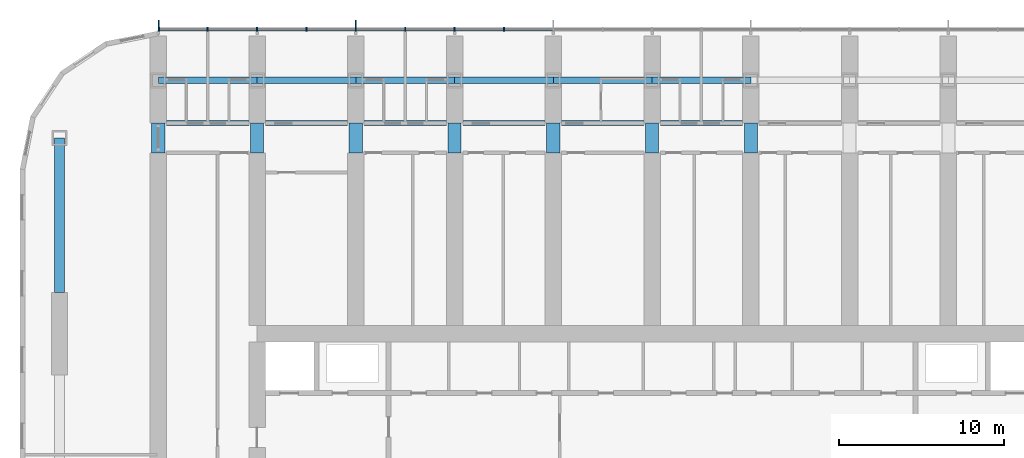
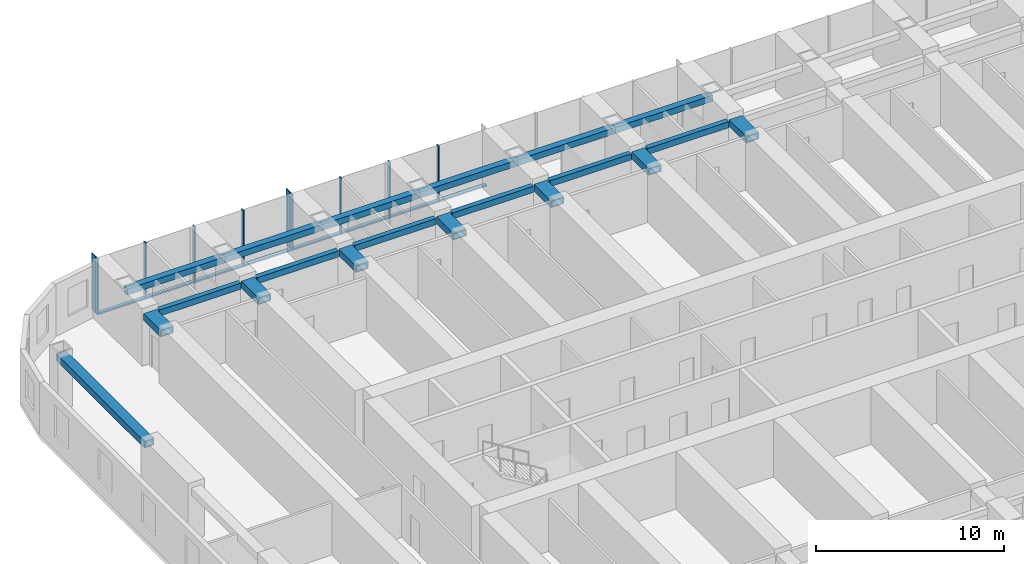
# One storey, part 4 of 23: 20 beams, 18 members, 1 element without a shape of its own.
"""IFC4 building model written with IfcOpenShell, lengths in metres."""

from ifc_helpers import new_model, si_unit, direction, frame, origin, origin_2d, place, context, subcontext, project, spatial, rectangle, hollow_rectangle, extrude, material, material_profile, profile_set, type_object, element, aggregate, save


model = new_model("IFC4")

# Units and contexts
model_context = context("Model", 3, precision=1e-05, world=origin(), true_north=direction((0.0, 1.0)))
body_context = subcontext(model_context, "Body", "Model", "MODEL_VIEW")
ifc_project = project(units=[si_unit("LENGTHUNIT", "METRE"), si_unit("AREAUNIT", "SQUARE_METRE"), si_unit("VOLUMEUNIT", "CUBIC_METRE"), si_unit("PLANEANGLEUNIT", "RADIAN"), si_unit("MASSUNIT", "GRAM", prefix="KILO")], contexts=[model_context])

# Site, building, storey
site_placement = place(None, origin())
site = spatial("IfcSite", under=ifc_project, at=site_placement, CompositionType="ELEMENT")
building_placement = place(site_placement, origin())
building = spatial("IfcBuilding", under=site, at=building_placement, Name="Orbita Commons", CompositionType="ELEMENT")
storey_placement = place(building_placement, frame((0.0, 0.0, 65.199951171875)))
storey = spatial("IfcBuildingStorey", under=building, at=storey_placement, Name="L16", CompositionType="ELEMENT", Elevation=65.199951171875)

# Curtain wall, members
ifc_material_1 = material(Name="Anodised aluminium frame, pale silver", Category="aluminium")
curtain_wall_type = type_object("IfcCurtainWallType", Name="Unitised curtain wall CW-T, vision and spandrel", PredefinedType="NOTDEFINED", material=ifc_material_1)
curtain_wall_placement = place(storey_placement, origin())
curtain_wall = element("IfcCurtainWall", 1, at=curtain_wall_placement, inside=storey, type_object=curtain_wall_type, Name="Curtain wall north L16", PredefinedType="NOTDEFINED")
ifc_material_2 = material(Name="Anodised aluminium, pale silver", Category="aluminium")
ifc_material_profile_1 = material_profile(ifc_material_2, rectangle(XDim=0.080078125, YDim=0.219970703125, at=origin_2d()), Name="AL 80x220")
ifc_profile_set_1 = profile_set([ifc_material_profile_1], Name="Anodised aluminium, pale silver")
member_type_1 = type_object("IfcMemberType", Name="Curtain wall mullion 80x220", PredefinedType="MULLION", material=ifc_profile_set_1)
member_1_placement = place(storey_placement, frame((33.0, 56.7099609375, -0.25), z_axis=(0.0, 0.0, 1.0), x_axis=(-1.0, 0.0, 0.0)))
member_1 = element("IfcMember", 2, at=member_1_placement, type_object=member_type_1, Name="Mullion 14 CW-L16-N", PredefinedType="MULLION", context=body_context, shape_type="SweptSolid", body=[
    extrude(rectangle(XDim=0.080078125, YDim=0.219970703125, at=origin_2d()), origin(), (0.0, 0.0, 1.0), 3.650146484375),
])
member_2_placement = place(storey_placement, frame((30.0, 56.7099609375, -0.25), z_axis=(0.0, 0.0, 1.0), x_axis=(-1.0, 0.0, 0.0)))
member_2 = element("IfcMember", 3, at=member_2_placement, type_object=member_type_1, Name="Mullion 15 CW-L16-N", PredefinedType="MULLION", context=body_context, shape_type="SweptSolid", body=[
    extrude(rectangle(XDim=0.080078125, YDim=0.219970703125, at=origin_2d()), origin(), (0.0, 0.0, 1.0), 3.650146484375),
])
member_3_placement = place(storey_placement, frame((27.0, 56.7099609375, -0.25), z_axis=(0.0, 0.0, 1.0), x_axis=(-1.0, 0.0, 0.0)))
member_3 = element("IfcMember", 4, at=member_3_placement, type_object=member_type_1, Name="Mullion 16 CW-L16-N", PredefinedType="MULLION", context=body_context, shape_type="SweptSolid", body=[
    extrude(rectangle(XDim=0.080078125, YDim=0.219970703125, at=origin_2d()), origin(), (0.0, 0.0, 1.0), 3.650146484375),
])
member_4_placement = place(storey_placement, frame((24.0, 56.7099609375, -0.25), z_axis=(0.0, 0.0, 1.0), x_axis=(-1.0, 0.0, 0.0)))
member_4 = element("IfcMember", 5, at=member_4_placement, type_object=member_type_1, Name="Mullion 17 CW-L16-N", PredefinedType="MULLION", context=body_context, shape_type="SweptSolid", body=[
    extrude(rectangle(XDim=0.080078125, YDim=0.219970703125, at=origin_2d()), origin(), (0.0, 0.0, 1.0), 3.650146484375),
])
member_5_placement = place(storey_placement, frame((21.0, 56.7099609375, -0.25), z_axis=(0.0, 0.0, 1.0), x_axis=(-1.0, 0.0, 0.0)))
member_5 = element("IfcMember", 6, at=member_5_placement, type_object=member_type_1, Name="Mullion 18 CW-L16-N", PredefinedType="MULLION", context=body_context, shape_type="SweptSolid", body=[
    extrude(rectangle(XDim=0.080078125, YDim=0.219970703125, at=origin_2d()), origin(), (0.0, 0.0, 1.0), 3.650146484375),
])
member_6_placement = place(storey_placement, frame((18.0, 56.7099609375, -0.25), z_axis=(0.0, 0.0, 1.0), x_axis=(-1.0, 0.0, 0.0)))
member_6 = element("IfcMember", 7, at=member_6_placement, type_object=member_type_1, Name="Mullion 19 CW-L16-N", PredefinedType="MULLION", context=body_context, shape_type="SweptSolid", body=[
    extrude(rectangle(XDim=0.080078125, YDim=0.219970703125, at=origin_2d()), origin(), (0.0, 0.0, 1.0), 3.650146484375),
])
member_7_placement = place(storey_placement, frame((15.0, 56.7099609375, -0.25), z_axis=(0.0, 0.0, 1.0), x_axis=(-1.0, 0.0, 0.0)))
member_7 = element("IfcMember", 8, at=member_7_placement, type_object=member_type_1, Name="Mullion 20 CW-L16-N", PredefinedType="MULLION", context=body_context, shape_type="SweptSolid", body=[
    extrude(rectangle(XDim=0.080078125, YDim=0.219970703125, at=origin_2d()), origin(), (0.0, 0.0, 1.0), 3.650146484375),
])
member_8_placement = place(storey_placement, frame((12.0400390625, 56.7099609375, -0.25), z_axis=(0.0, 0.0, 1.0), x_axis=(-1.0, 0.0, 0.0)))
member_8 = element("IfcMember", 9, at=member_8_placement, type_object=member_type_1, Name="Mullion 21 CW-L16-N", PredefinedType="MULLION", context=body_context, shape_type="SweptSolid", body=[
    extrude(rectangle(XDim=0.080078125, YDim=0.219970703125, at=origin_2d()), origin(), (0.0, 0.0, 1.0), 3.650146484375),
])
ifc_material_3 = material(Name="Anodised aluminium, pale silver", Category="aluminium")
ifc_material_profile_2 = material_profile(ifc_material_3, rectangle(XDim=0.219970703125, YDim=0.10009765625, at=origin_2d()), Name="AL 220x100")
ifc_profile_set_2 = profile_set([ifc_material_profile_2], Name="Anodised aluminium, pale silver")
member_type_2 = type_object("IfcMemberType", Name="Curtain wall stack transom 220x100", PredefinedType="USERDEFINED", material=ifc_profile_set_2)
member_9_placement = place(storey_placement, frame((35.9599609375, 56.7099609375, -0.199951171875), z_axis=(-1.0, 0.0, 0.0), x_axis=(0.0, -1.0, 0.0)))
member_9 = element("IfcMember", 10, at=member_9_placement, type_object=member_type_2, Name="Transom 13.1 CW-L16-N", ObjectType="TRANSOM", PredefinedType="USERDEFINED", context=body_context, shape_type="SweptSolid", body=[
    extrude(rectangle(XDim=0.219970703125, YDim=0.10009765625, at=origin_2d()), origin(), (0.0, 0.0, 1.0), 2.919921875),
])
member_10_placement = place(storey_placement, frame((32.9599609375, 56.7099609375, -0.199951171875), z_axis=(-1.0, 0.0, 0.0), x_axis=(0.0, -1.0, 0.0)))
member_10 = element("IfcMember", 11, at=member_10_placement, type_object=member_type_2, Name="Transom 14.1 CW-L16-N", ObjectType="TRANSOM", PredefinedType="USERDEFINED", context=body_context, shape_type="SweptSolid", body=[
    extrude(rectangle(XDim=0.219970703125, YDim=0.10009765625, at=origin_2d()), origin(), (0.0, 0.0, 1.0), 2.919921875),
])
member_11_placement = place(storey_placement, frame((29.9599609375, 56.7099609375, -0.199951171875), z_axis=(-1.0, 0.0, 0.0), x_axis=(0.0, -1.0, 0.0)))
member_11 = element("IfcMember", 12, at=member_11_placement, type_object=member_type_2, Name="Transom 15.1 CW-L16-N", ObjectType="TRANSOM", PredefinedType="USERDEFINED", context=body_context, shape_type="SweptSolid", body=[
    extrude(rectangle(XDim=0.219970703125, YDim=0.10009765625, at=origin_2d()), origin(), (0.0, 0.0, 1.0), 2.919921875),
])
member_12_placement = place(storey_placement, frame((26.9599609375, 56.7099609375, -0.199951171875), z_axis=(-1.0, 0.0, 0.0), x_axis=(0.0, -1.0, 0.0)))
member_12 = element("IfcMember", 13, at=member_12_placement, type_object=member_type_2, Name="Transom 16.1 CW-L16-N", ObjectType="TRANSOM", PredefinedType="USERDEFINED", context=body_context, shape_type="SweptSolid", body=[
    extrude(rectangle(XDim=0.219970703125, YDim=0.10009765625, at=origin_2d()), origin(), (0.0, 0.0, 1.0), 2.919921875),
])
member_13_placement = place(storey_placement, frame((23.9599609375, 56.7099609375, -0.199951171875), z_axis=(-1.0, 0.0, 0.0), x_axis=(0.0, -1.0, 0.0)))
member_13 = element("IfcMember", 14, at=member_13_placement, type_object=member_type_2, Name="Transom 17.1 CW-L16-N", ObjectType="TRANSOM", PredefinedType="USERDEFINED", context=body_context, shape_type="SweptSolid", body=[
    extrude(rectangle(XDim=0.219970703125, YDim=0.10009765625, at=origin_2d()), origin(), (0.0, 0.0, 1.0), 2.919921875),
])
member_14_placement = place(storey_placement, frame((20.9599609375, 56.7099609375, -0.199951171875), z_axis=(-1.0, 0.0, 0.0), x_axis=(0.0, -1.0, 0.0)))
member_14 = element("IfcMember", 15, at=member_14_placement, type_object=member_type_2, Name="Transom 18.1 CW-L16-N", ObjectType="TRANSOM", PredefinedType="USERDEFINED", context=body_context, shape_type="SweptSolid", body=[
    extrude(rectangle(XDim=0.219970703125, YDim=0.10009765625, at=origin_2d()), origin(), (0.0, 0.0, 1.0), 2.919921875),
])
member_15_placement = place(storey_placement, frame((17.9599609375, 56.7099609375, -0.199951171875), z_axis=(-1.0, 0.0, 0.0), x_axis=(0.0, -1.0, 0.0)))
member_15 = element("IfcMember", 16, at=member_15_placement, type_object=member_type_2, Name="Transom 19.1 CW-L16-N", ObjectType="TRANSOM", PredefinedType="USERDEFINED", context=body_context, shape_type="SweptSolid", body=[
    extrude(rectangle(XDim=0.219970703125, YDim=0.10009765625, at=origin_2d()), origin(), (0.0, 0.0, 1.0), 2.919921875),
])
member_16_placement = place(storey_placement, frame((14.9599609375, 56.7099609375, -0.199951171875), z_axis=(-1.0, 0.0, 0.0), x_axis=(0.0, -1.0, 0.0)))
member_16 = element("IfcMember", 17, at=member_16_placement, type_object=member_type_2, Name="Transom 20.1 CW-L16-N", ObjectType="TRANSOM", PredefinedType="USERDEFINED", context=body_context, shape_type="SweptSolid", body=[
    extrude(rectangle(XDim=0.219970703125, YDim=0.10009765625, at=origin_2d()), origin(), (0.0, 0.0, 1.0), 2.8798828125),
])

# Beams
ifc_material_4 = material(Name="Steel ASTM A572 Gr 50 welded plate", Category="steel")
ifc_material_profile_3 = material_profile(ifc_material_4, hollow_rectangle(XDim=0.300048828125, YDim=0.39990234375, WallThickness=0.0400390625, at=origin_2d()), Name="BOX 400x300x40")
ifc_profile_set_3 = profile_set([ifc_material_profile_3], Name="Steel ASTM A572 Gr 50 welded plate")
beam_type_1 = type_object("IfcBeamType", Name="Steel corridor link BOX 400x300x40", PredefinedType="BEAM", material=ifc_profile_set_3)
for number, where, z_axis, x_axis, name in (
    (18, (12.5, 51.0, 3.199951171875), (1.0, 0.0, 0.0), (0.0, 1.0, 0.0), "Corridor beam NB 3-4 L16"),
    (19, (18.5, 51.0, 3.199951171875), (1.0, 0.0, 0.0), (0.0, 1.0, 0.0), "Corridor beam NB 4-5 L16"),
    (20, (24.5, 51.0, 3.199951171875), (1.0, 0.0, 0.0), (0.0, 1.0, 0.0), "Corridor beam NB 5-6 L16"),
    (21, (30.5, 51.0, 3.199951171875), (1.0, 0.0, 0.0), (0.0, 1.0, 0.0), "Corridor beam NB 6-7 L16"),
    (22, (36.5, 51.0, 3.199951171875), (1.0, 0.0, 0.0), (0.0, 1.0, 0.0), "Corridor beam NB 7-8 L16"),
    (23, (42.5, 51.0, 3.199951171875), (1.0, 0.0, 0.0), (0.0, 1.0, 0.0), "Corridor beam NB 8-9 L16"),
):
    element("IfcBeam", number, at=place(storey_placement, frame(where, z_axis=z_axis, x_axis=x_axis)), inside=storey, type_object=beam_type_1, Name=name, PredefinedType="BEAM", context=body_context, shape_type="SweptSolid", body=[
        extrude(hollow_rectangle(XDim=0.300048828125, YDim=0.39990234375, WallThickness=0.0400390625, at=origin_2d()), origin(), (0.0, 0.0, 1.0), 5.0),
    ])
ifc_material_5 = material(Name="Steel ASTM A572 Gr 50 welded plate", Category="steel")
ifc_material_profile_4 = material_profile(ifc_material_5, hollow_rectangle(XDim=0.800048828125, YDim=0.449951171875, WallThickness=0.06005859375, at=origin_2d()), Name="BOX 450x800x60")
ifc_profile_set_4 = profile_set([ifc_material_profile_4], Name="Steel ASTM A572 Gr 50 welded plate")
beam_type_2 = type_object("IfcBeamType", Name="Steel coupling link BOX 450x800x60", PredefinedType="LINTEL", material=ifc_profile_set_4)
for number, where, z_axis, x_axis, name in (
    (24, (12.0, 49.199951171875, 3.175048828125), (0.0, 1.0, 0.0), (-1.0, 0.0, 0.0), "Coupling beam 3 north L16"),
    (25, (18.0, 49.199951171875, 3.175048828125), (0.0, 1.0, 0.0), (-1.0, 0.0, 0.0), "Coupling beam 4 north L16"),
    (26, (24.0, 49.199951171875, 3.175048828125), (0.0, 1.0, 0.0), (-1.0, 0.0, 0.0), "Coupling beam 5 north L16"),
    (27, (30.0, 49.199951171875, 3.175048828125), (0.0, 1.0, 0.0), (-1.0, 0.0, 0.0), "Coupling beam 6 north L16"),
    (28, (36.0, 49.199951171875, 3.175048828125), (0.0, 1.0, 0.0), (-1.0, 0.0, 0.0), "Coupling beam 7 north L16"),
    (29, (42.0, 49.199951171875, 3.175048828125), (0.0, 1.0, 0.0), (-1.0, 0.0, 0.0), "Coupling beam 8 north L16"),
    (30, (48.0, 49.199951171875, 3.175048828125), (0.0, 1.0, 0.0), (-1.0, 0.0, 0.0), "Coupling beam 9 north L16"),
):
    element("IfcBeam", number, at=place(storey_placement, frame(where, z_axis=z_axis, x_axis=x_axis)), inside=storey, type_object=beam_type_2, Name=name, PredefinedType="LINTEL", context=body_context, shape_type="SweptSolid", body=[
        extrude(hollow_rectangle(XDim=0.800048828125, YDim=0.449951171875, WallThickness=0.06005859375, at=origin_2d()), origin(), (0.0, 0.0, 1.0), 1.800048828125),
    ])
ifc_material_6 = material(Name="Steel ASTM A572 Gr 50 welded plate", Category="steel")
ifc_material_profile_5 = material_profile(ifc_material_6, hollow_rectangle(XDim=0.60009765625, YDim=0.449951171875, WallThickness=0.06005859375, at=origin_2d()), Name="BOX 450x600x60")
ifc_profile_set_5 = profile_set([ifc_material_profile_5], Name="Steel ASTM A572 Gr 50 welded plate")
beam_type_3 = type_object("IfcBeamType", Name="Steel end frame link BOX 450x600x60", PredefinedType="BEAM", material=ifc_profile_set_5)
beam_placement = place(storey_placement, frame((6.0, 40.699951171875, 3.175048828125), z_axis=(0.0, 1.0, 0.0), x_axis=(-1.0, 0.0, 0.0)))
element("IfcBeam", 31, at=beam_placement, inside=storey, type_object=beam_type_3, Name="End frame beam 2 D-E L16", PredefinedType="BEAM", context=body_context, shape_type="SweptSolid", body=[
    extrude(hollow_rectangle(XDim=0.60009765625, YDim=0.449951171875, WallThickness=0.06005859375, at=origin_2d()), origin(), (0.0, 0.0, 1.0), 9.400146484375),
])
ifc_material_7 = material(Name="Steel ASTM A572 Gr 50 welded plate", Category="steel")
ifc_material_profile_6 = material_profile(ifc_material_7, hollow_rectangle(XDim=0.39990234375, YDim=0.39990234375, WallThickness=0.0400390625, at=origin_2d()), Name="BOX 400x400x40")
ifc_profile_set_6 = profile_set([ifc_material_profile_6], Name="Steel ASTM A572 Gr 50 welded plate")
beam_type_4 = type_object("IfcBeamType", Name="Steel spandrel BOX 400x400x40", PredefinedType="SPANDREL", material=ifc_profile_set_6)
for number, where, z_axis, x_axis, name in (
    (32, (12.0, 53.60009765625, 3.199951171875), (1.0, 0.0, 0.0), (0.0, 1.0, 0.0), "Spandrel beam E 3-4 L16"),
    (33, (18.0, 53.60009765625, 3.199951171875), (1.0, 0.0, 0.0), (0.0, 1.0, 0.0), "Spandrel beam E 4-5 L16"),
    (34, (24.0, 53.60009765625, 3.199951171875), (1.0, 0.0, 0.0), (0.0, 1.0, 0.0), "Spandrel beam E 5-6 L16"),
    (35, (30.0, 53.60009765625, 3.199951171875), (1.0, 0.0, 0.0), (0.0, 1.0, 0.0), "Spandrel beam E 6-7 L16"),
    (36, (36.0, 53.60009765625, 3.199951171875), (1.0, 0.0, 0.0), (0.0, 1.0, 0.0), "Spandrel beam E 7-8 L16"),
    (37, (42.0, 53.60009765625, 3.199951171875), (1.0, 0.0, 0.0), (0.0, 1.0, 0.0), "Spandrel beam E 8-9 L16"),
):
    element("IfcBeam", number, at=place(storey_placement, frame(where, z_axis=z_axis, x_axis=x_axis)), inside=storey, type_object=beam_type_4, Name=name, PredefinedType="SPANDREL", context=body_context, shape_type="SweptSolid", body=[
        extrude(hollow_rectangle(XDim=0.39990234375, YDim=0.39990234375, WallThickness=0.0400390625, at=origin_2d()), origin(), (0.0, 0.0, 1.0), 6.0),
    ])

# Member
ifc_material_8 = material(Name="Anodised aluminium, pale silver", Category="aluminium")
ifc_material_profile_7 = material_profile(ifc_material_8, rectangle(XDim=0.06005859375, YDim=0.449951171875, at=origin_2d()), Name="FIN 60x450")
ifc_profile_set_7 = profile_set([ifc_material_profile_7], Name="Anodised aluminium, pale silver")
member_type_3 = type_object("IfcMemberType", Name="Vertical fin 60x450 pale aluminium", PredefinedType="USERDEFINED", material=ifc_profile_set_7)
member_17_placement = place(storey_placement, frame((24.0, 57.044921875, -0.25), z_axis=(0.0, 0.0, 1.0), x_axis=(-1.0, 0.0, 0.0)))
member_17 = element("IfcMember", 38, at=member_17_placement, type_object=member_type_3, Name="Fin 17 CW-L16-N", ObjectType="FIN", PredefinedType="USERDEFINED", context=body_context, shape_type="SweptSolid", body=[
    extrude(rectangle(XDim=0.06005859375, YDim=0.449951171875, at=origin_2d()), origin(), (0.0, 0.0, 1.0), 3.650146484375),
])

member_18_placement = place(storey_placement, frame((12.0400390625, 57.044921875, -0.25), z_axis=(0.0, 0.0, 1.0), x_axis=(-1.0, 0.0, 0.0)))
member_18 = element("IfcMember", 39, at=member_18_placement, type_object=member_type_3, Name="Fin 21 CW-L16-N", ObjectType="FIN", PredefinedType="USERDEFINED", context=body_context, shape_type="SweptSolid", body=[
    extrude(rectangle(XDim=0.06005859375, YDim=0.449951171875, at=origin_2d()), origin(), (0.0, 0.0, 1.0), 3.650146484375),
])

aggregate(curtain_wall, [member_1, member_2, member_3, member_4, member_17, member_5, member_6, member_7, member_8, member_18, member_9, member_10, member_11, member_12, member_13, member_14, member_15, member_16])

save(model, "model.ifc")
